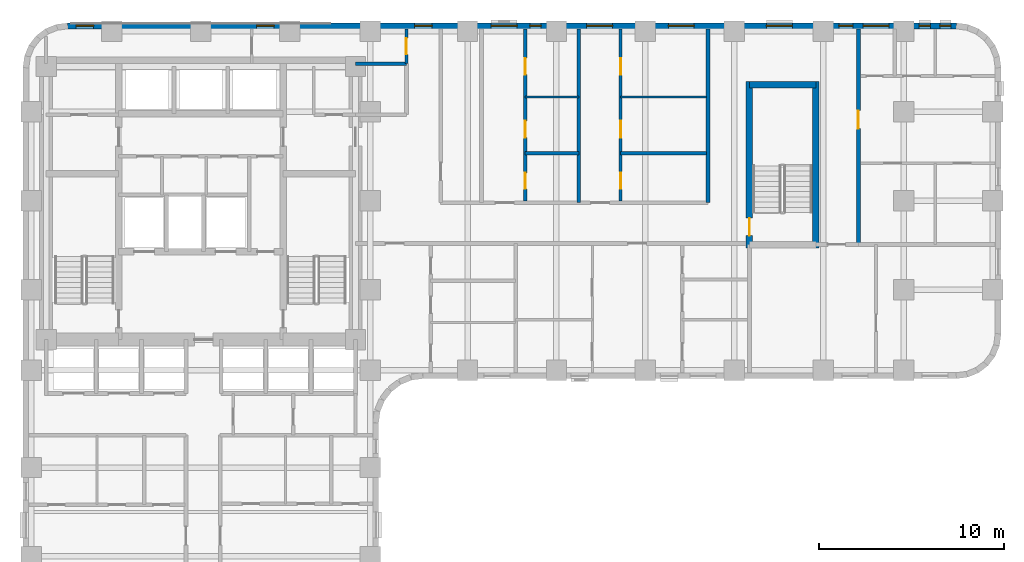
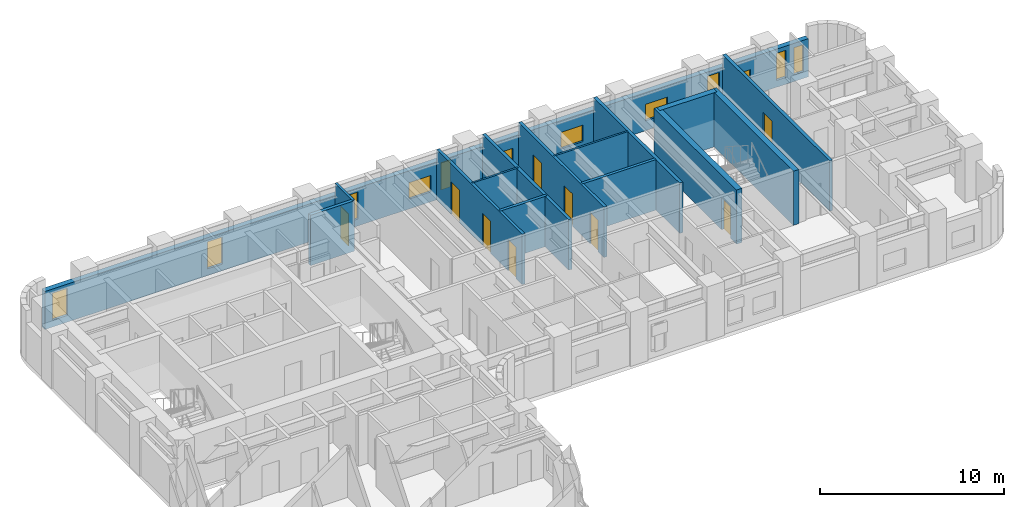
# One storey, part 7 of 11: 15 walls, 12 windows, 9 doors, 21 openings.
"""IFC4 building model written with IfcOpenShell, lengths in metres."""

from ifc_helpers import new_model, si_unit, direction, frame, frame_2d, origin, place, context, subcontext, project, spatial, rectangle, extrude, material, layer, layer_set, type_object, element, fill, save


model = new_model("IFC4")

# Units and contexts
model_context = context("Model", 3, precision=1e-05, world=origin(), true_north=direction((0.0, 1.0)))
body_context = subcontext(model_context, "Body", "Model", "MODEL_VIEW")
ifc_project = project(units=[si_unit("LENGTHUNIT", "METRE"), si_unit("AREAUNIT", "SQUARE_METRE"), si_unit("VOLUMEUNIT", "CUBIC_METRE"), si_unit("PLANEANGLEUNIT", "RADIAN"), si_unit("MASSUNIT", "GRAM", prefix="KILO")], contexts=[model_context])

# Site, building, storey
site_placement = place(None, origin())
site = spatial("IfcSite", under=ifc_project, at=site_placement, CompositionType="ELEMENT")
building_placement = place(site_placement, origin())
building = spatial("IfcBuilding", under=site, at=building_placement, Name="Orvandelia Arch Residences", CompositionType="ELEMENT")
storey_placement = place(building_placement, frame((0.0, 0.0, 25.0)))
storey = spatial("IfcBuildingStorey", under=building, at=storey_placement, Name="L05", CompositionType="ELEMENT", Elevation=25.0)

# Wall, opening, door
ifc_material_1 = material(Name="Concrete C50/60", Category="concrete")
ifc_layer_1 = layer(ifc_material_1, 0.35009765625, Name="Concrete C50/60", Category="concrete")
ifc_layer_set_1 = layer_set([ifc_layer_1], Name="Concrete C50/60")
wall_type_1 = type_object("IfcWallType", Name="WL-CORE-350", PredefinedType="SHEAR", material=ifc_layer_set_1)
wall_1_placement = place(storey_placement, frame((44.02001953125, 35.864990234375, 0.0), z_axis=(0.0, 0.0, 1.0), x_axis=(0.0, 1.0, 0.0)))
wall_1 = element("IfcWall", 1, at=wall_1_placement, inside=storey, type_object=wall_type_1, Name="East Stair Core Shear Wall L05-W", PredefinedType="SHEAR", context=body_context, shape_type="SweptSolid", body=[
    extrude(rectangle(XDim=8.969970703125, YDim=0.35009765625, at=frame_2d((4.48486328125, 0.0))), origin(), (0.0, 0.0, 1.0), 3.60009765625),
])
opening_1_placement = place(wall_1_placement, frame((0.64990234375, 0.0, 0.0)))
opening_1 = element("IfcOpeningElement", 2, at=opening_1_placement, cuts=wall_1, Name="Opening D7", PredefinedType="OPENING", context=body_context, shape_type="SweptSolid", body=[
    extrude(rectangle(XDim=0.949951171875, YDim=2.10009765625, at=frame_2d((0.47509765625, 1.050048828125))), frame((0.0, 0.18505859375, 0.0), z_axis=(0.0, -1.0, 0.0), x_axis=(1.0, 0.0, 0.0)), (0.0, 0.0, 1.0), 0.3701171875),
])
ifc_material_2 = material(Name="Pressurised Stairwell Fire Door")
door_type_1 = type_object("IfcDoorType", Name="DR-STAIR-950", OperationType="NOTDEFINED", PredefinedType="DOOR", material=ifc_material_2)
door_1_placement = place(opening_1_placement, origin())
door_1 = element("IfcDoor", 3, at=door_1_placement, inside=storey, type_object=door_type_1, Name="East Stairwell ST-3 Fire Door L05", OperationType="SINGLE_SWING_LEFT", OverallHeight=2.10009765625, OverallWidth=0.949951171875, PredefinedType="DOOR", context=body_context, shape_type="SweptSolid", body=[
    extrude(rectangle(XDim=0.949951171875, YDim=2.10009765625, at=frame_2d((0.47509765625, 1.050048828125))), frame((0.0, 0.02490234375, 0.0), z_axis=(0.0, -1.0, 0.0), x_axis=(1.0, 0.0, 0.0)), (0.0, 0.0, 1.0), 0.050048828125),
])
fill(opening_1, door_1)

# Walls
wall_2_placement = place(storey_placement, frame((47.60009765625, 35.864990234375, 0.0), z_axis=(0.0, 0.0, 1.0), x_axis=(0.0, 1.0, 0.0)))
element("IfcWall", 4, at=wall_2_placement, inside=storey, type_object=wall_type_1, Name="East Stair Core Shear Wall L05-E", PredefinedType="SHEAR", context=body_context, shape_type="SweptSolid", body=[
    extrude(rectangle(XDim=8.969970703125, YDim=0.35009765625, at=frame_2d((4.48486328125, 0.0))), origin(), (0.0, 0.0, 1.0), 3.60009765625),
])
wall_3_placement = place(storey_placement, frame((44.02001953125, 44.659912109375, 0.0), z_axis=(0.0, 0.0, 1.0), x_axis=(1.0, 0.0, 0.0)))
element("IfcWall", 5, at=wall_3_placement, inside=storey, type_object=wall_type_1, Name="East Stair Core Shear Wall L05-N", PredefinedType="SHEAR", context=body_context, shape_type="SweptSolid", body=[
    extrude(rectangle(XDim=3.580078125, YDim=0.35009765625, at=frame_2d((1.7900390625, 0.0))), origin(), (0.0, 0.0, 1.0), 3.60009765625),
])
ifc_material_3 = material(Name="Fire-Rated Corridor Partition")
ifc_layer_2 = layer(ifc_material_3, 0.199951171875, Name="Fire-Rated Corridor Partition")
ifc_layer_set_2 = layer_set([ifc_layer_2], Name="Fire-Rated Corridor Partition")
wall_type_2 = type_object("IfcWallType", Name="WL-CORR-200", PredefinedType="PARTITIONING", material=ifc_layer_set_2)
wall_4_placement = place(storey_placement, frame((22.75, 45.800048828125, 0.0), z_axis=(0.0, 0.0, 1.0), x_axis=(1.0, 0.0, 0.0)))
element("IfcWall", 6, at=wall_4_placement, inside=storey, type_object=wall_type_2, Name="Interior Partition Wall WL-L05-NCE-S", PredefinedType="PARTITIONING", context=body_context, shape_type="SweptSolid", body=[
    extrude(rectangle(XDim=2.75, YDim=0.199951171875, at=frame_2d((1.375, 0.0))), origin(), (0.0, 0.0, 1.0), 3.35009765625),
])
wall_5_placement = place(storey_placement, frame((41.780029296875, 38.300048828125, 0.0), z_axis=(0.0, 0.0, 1.0), x_axis=(0.0, 1.0, 0.0)))
element("IfcWall", 7, at=wall_5_placement, inside=storey, type_object=wall_type_2, Name="Interior Partition Wall WL-L05-ETV-W", PredefinedType="PARTITIONING", context=body_context, shape_type="SweptSolid", body=[
    extrude(rectangle(XDim=9.3798828125, YDim=0.199951171875, at=frame_2d((4.68994140625, 0.0))), origin(), (0.0, 0.0, 1.0), 3.35009765625),
])

# Wall, opening, door
wall_6_placement = place(storey_placement, frame((49.89990234375, 36.0400390625, 0.0), z_axis=(0.0, 0.0, 1.0), x_axis=(0.0, 1.0, 0.0)))
wall_6 = element("IfcWall", 8, at=wall_6_placement, inside=storey, type_object=wall_type_2, Name="Interior Partition Wall WL-L05-ETE-E", PredefinedType="PARTITIONING", context=body_context, shape_type="SweptSolid", body=[
    extrude(rectangle(XDim=11.639892578125, YDim=0.199951171875, at=frame_2d((5.81982421875, 0.0))), origin(), (0.0, 0.0, 1.0), 3.35009765625),
])
opening_2_placement = place(wall_6_placement, frame((6.25146484375, 0.0, 0.0)))
opening_2 = element("IfcOpeningElement", 9, at=opening_2_placement, cuts=wall_6, Name="Opening D1", PredefinedType="OPENING", context=body_context, shape_type="SweptSolid", body=[
    extrude(rectangle(XDim=0.97998046875, YDim=2.179931640625, at=frame_2d((0.489990234375, 1.08984375))), frame((0.0, 0.10986328125, 0.0), z_axis=(0.0, -1.0, 0.0), x_axis=(1.0, 0.0, 0.0)), (0.0, 0.0, 1.0), 0.219970703125),
])
ifc_material_4 = material(Name="Solid-Core Timber Acoustic Fire Door", Category="wood")
door_type_2 = type_object("IfcDoorType", Name="DR-ENT-980", OperationType="NOTDEFINED", PredefinedType="DOOR", material=ifc_material_4)
door_2_placement = place(opening_2_placement, origin())
door_2 = element("IfcDoor", 10, at=door_2_placement, inside=storey, type_object=door_type_2, Name="Unit L05-11 Entrance Door", OperationType="SINGLE_SWING_LEFT", OverallHeight=2.179931640625, OverallWidth=0.97998046875, PredefinedType="DOOR", context=body_context, shape_type="SweptSolid", body=[
    extrude(rectangle(XDim=0.97998046875, YDim=2.179931640625, at=frame_2d((0.489990234375, 1.08984375))), frame((0.0, 0.02490234375, 0.0), z_axis=(0.0, -1.0, 0.0), x_axis=(1.0, 0.0, 0.0)), (0.0, 0.0, 1.0), 0.050048828125),
])
fill(opening_2, door_2)

# Wall
ifc_material_5 = material(Name="Concrete C40/50", Category="concrete")
ifc_layer_3 = layer(ifc_material_5, 0.199951171875, Name="Concrete C40/50", Category="concrete")
ifc_layer_set_3 = layer_set([ifc_layer_3], Name="Concrete C40/50")
wall_type_3 = type_object("IfcWallType", Name="WL-DEM-200", PredefinedType="SOLIDWALL", material=ifc_layer_set_3)
wall_7_placement = place(storey_placement, frame((34.800048828125, 38.300048828125, 0.0), z_axis=(0.0, 0.0, 1.0), x_axis=(0.0, 1.0, 0.0)))
element("IfcWall", 11, at=wall_7_placement, inside=storey, type_object=wall_type_3, Name="Interior Partition Wall WL-L05-DEM-EMN-348", PredefinedType="SOLIDWALL", context=body_context, shape_type="SweptSolid", body=[
    extrude(rectangle(XDim=9.3798828125, YDim=0.199951171875, at=frame_2d((4.68994140625, 0.0))), origin(), (0.0, 0.0, 1.0), 3.35009765625),
])

# Wall, openings, windows
ifc_material_6 = material(Name="Precast concrete C40/50", Category="concrete")
ifc_layer_4 = layer(ifc_material_6, 0.320068359375, Name="Precast concrete C40/50", Category="concrete")
ifc_layer_set_4 = layer_set([ifc_layer_4], Name="Precast concrete C40/50")
wall_type_4 = type_object("IfcWallType", Name="WL-EXT-STONE-320", PredefinedType="STANDARD", material=ifc_layer_set_4)
wall_8_placement = place(storey_placement, frame((7.199951171875, 47.840087890625, 0.0), z_axis=(0.0, 0.0, 1.0), x_axis=(1.0, 0.0, 0.0)))
wall_8 = element("IfcWall", 12, at=wall_8_placement, inside=storey, type_object=wall_type_4, Name="Coral-Limestone Precast Facade Wall L05-007", PredefinedType="STANDARD", context=body_context, shape_type="SweptSolid", body=[
    extrude(rectangle(XDim=48.0, YDim=0.320068359375, at=frame_2d((24.0, 0.0))), origin(), (0.0, 0.0, 1.0), 2.530029296875),
])
opening_3_placement = place(wall_8_placement, frame((24.969970703125, 0.0, 0.449951171875)))
opening_3 = element("IfcOpeningElement", 13, at=opening_3_placement, cuts=wall_8, Name="Opening W12", PredefinedType="OPENING", context=body_context, shape_type="SweptSolid", body=[
    extrude(rectangle(XDim=0.60009765625, YDim=1.800048828125, at=frame_2d((0.300048828125, 0.89990234375))), frame((0.0, 0.169921875, 0.0), z_axis=(0.0, -1.0, 0.0), x_axis=(1.0, 0.0, 0.0)), (0.0, 0.0, 1.0), 0.340087890625),
])
opening_4_placement = place(wall_8_placement, frame((32.43505859375, 0.0, 0.64990234375)))
opening_4 = element("IfcOpeningElement", 14, at=opening_4_placement, cuts=wall_8, Name="Opening W10", PredefinedType="OPENING", context=body_context, shape_type="SweptSolid", body=[
    extrude(rectangle(XDim=1.39990234375, YDim=1.10009765625, at=frame_2d((0.699951171875, 0.550048828125))), frame((0.0, 0.169921875, 0.0), z_axis=(0.0, -1.0, 0.0), x_axis=(1.0, 0.0, 0.0)), (0.0, 0.0, 1.0), 0.340087890625),
])
opening_5_placement = place(wall_8_placement, frame((47.093994140625, 0.0, 0.449951171875)))
opening_5 = element("IfcOpeningElement", 15, at=opening_5_placement, cuts=wall_8, Name="Opening W12", PredefinedType="OPENING", context=body_context, shape_type="SweptSolid", body=[
    extrude(rectangle(XDim=0.60009765625, YDim=1.800048828125, at=frame_2d((0.300048828125, 0.89990234375))), frame((0.0, 0.169921875, 0.0), z_axis=(0.0, -1.0, 0.0), x_axis=(1.0, 0.0, 0.0)), (0.0, 0.0, 1.0), 0.340087890625),
])
opening_6_placement = place(wall_8_placement, frame((18.739990234375, 0.0, 0.449951171875)))
opening_6 = element("IfcOpeningElement", 16, at=opening_6_placement, cuts=wall_8, Name="Opening W4", PredefinedType="OPENING", context=body_context, shape_type="SweptSolid", body=[
    extrude(rectangle(XDim=0.949951171875, YDim=1.800048828125, at=frame_2d((0.47509765625, 0.89990234375))), frame((0.0, 0.169921875, 0.0), z_axis=(0.0, -1.0, 0.0), x_axis=(1.0, 0.0, 0.0)), (0.0, 0.0, 1.0), 0.340087890625),
])
opening_7_placement = place(wall_8_placement, frame((41.64990234375, 0.0, 0.449951171875)))
opening_7 = element("IfcOpeningElement", 17, at=opening_7_placement, cuts=wall_8, Name="Opening W11", PredefinedType="OPENING", context=body_context, shape_type="SweptSolid", body=[
    extrude(rectangle(XDim=0.75, YDim=1.800048828125, at=frame_2d((0.375, 0.89990234375))), frame((0.0, 0.169921875, 0.0), z_axis=(0.0, -1.0, 0.0), x_axis=(1.0, 0.0, 0.0)), (0.0, 0.0, 1.0), 0.340087890625),
])
opening_8_placement = place(wall_8_placement, frame((37.736083984375, 0.0, 0.64990234375)))
opening_8 = element("IfcOpeningElement", 18, at=opening_8_placement, cuts=wall_8, Name="Opening W10", PredefinedType="OPENING", context=body_context, shape_type="SweptSolid", body=[
    extrude(rectangle(XDim=1.39990234375, YDim=1.10009765625, at=frame_2d((0.699951171875, 0.550048828125))), frame((0.0, 0.169921875, 0.0), z_axis=(0.0, -1.0, 0.0), x_axis=(1.0, 0.0, 0.0)), (0.0, 0.0, 1.0), 0.340087890625),
])
opening_9_placement = place(wall_8_placement, frame((0.469970703125, 0.0, 0.449951171875)))
opening_9 = element("IfcOpeningElement", 19, at=opening_9_placement, cuts=wall_8, Name="Opening W4", PredefinedType="OPENING", context=body_context, shape_type="SweptSolid", body=[
    extrude(rectangle(XDim=0.949951171875, YDim=1.800048828125, at=frame_2d((0.47509765625, 0.89990234375))), frame((0.0, 0.169921875, 0.0), z_axis=(0.0, -1.0, 0.0), x_axis=(1.0, 0.0, 0.0)), (0.0, 0.0, 1.0), 0.340087890625),
])
opening_10_placement = place(wall_8_placement, frame((10.215087890625, 0.0, 0.449951171875)))
opening_10 = element("IfcOpeningElement", 20, at=opening_10_placement, cuts=wall_8, Name="Opening W4", PredefinedType="OPENING", context=body_context, shape_type="SweptSolid", body=[
    extrude(rectangle(XDim=0.949951171875, YDim=1.800048828125, at=frame_2d((0.47509765625, 0.89990234375))), frame((0.0, 0.169921875, 0.0), z_axis=(0.0, -1.0, 0.0), x_axis=(1.0, 0.0, 0.0)), (0.0, 0.0, 1.0), 0.340087890625),
])
opening_11_placement = place(wall_8_placement, frame((22.8701171875, 0.0, 0.64990234375)))
opening_11 = element("IfcOpeningElement", 21, at=opening_11_placement, cuts=wall_8, Name="Opening W10", PredefinedType="OPENING", context=body_context, shape_type="SweptSolid", body=[
    extrude(rectangle(XDim=1.39990234375, YDim=1.10009765625, at=frame_2d((0.699951171875, 0.550048828125))), frame((0.0, 0.169921875, 0.0), z_axis=(0.0, -1.0, 0.0), x_axis=(1.0, 0.0, 0.0)), (0.0, 0.0, 1.0), 0.340087890625),
])
opening_12_placement = place(wall_8_placement, frame((28.030029296875, 0.0, 0.64990234375)))
opening_12 = element("IfcOpeningElement", 22, at=opening_12_placement, cuts=wall_8, Name="Opening W10", PredefinedType="OPENING", context=body_context, shape_type="SweptSolid", body=[
    extrude(rectangle(XDim=1.39990234375, YDim=1.10009765625, at=frame_2d((0.699951171875, 0.550048828125))), frame((0.0, 0.169921875, 0.0), z_axis=(0.0, -1.0, 0.0), x_axis=(1.0, 0.0, 0.0)), (0.0, 0.0, 1.0), 0.340087890625),
])
opening_13_placement = place(wall_8_placement, frame((42.949951171875, 0.0, 0.64990234375)))
opening_13 = element("IfcOpeningElement", 23, at=opening_13_placement, cuts=wall_8, Name="Opening W10", PredefinedType="OPENING", context=body_context, shape_type="SweptSolid", body=[
    extrude(rectangle(XDim=1.39990234375, YDim=1.10009765625, at=frame_2d((0.699951171875, 0.550048828125))), frame((0.0, 0.169921875, 0.0), z_axis=(0.0, -1.0, 0.0), x_axis=(1.0, 0.0, 0.0)), (0.0, 0.0, 1.0), 0.340087890625),
])
opening_14_placement = place(wall_8_placement, frame((45.98388671875, 0.0, 0.449951171875)))
opening_14 = element("IfcOpeningElement", 24, at=opening_14_placement, cuts=wall_8, Name="Opening W12", PredefinedType="OPENING", context=body_context, shape_type="SweptSolid", body=[
    extrude(rectangle(XDim=0.60009765625, YDim=1.800048828125, at=frame_2d((0.300048828125, 0.89990234375))), frame((0.0, 0.169921875, 0.0), z_axis=(0.0, -1.0, 0.0), x_axis=(1.0, 0.0, 0.0)), (0.0, 0.0, 1.0), 0.340087890625),
])
ifc_material_7 = material(Name="Tempered Low-E Insulated Glazing", Category="glass")
window_type_1 = type_object("IfcWindowType", Name="WIN-BED-0750x1800", PartitioningType="SINGLE_PANEL", PredefinedType="WINDOW", material=ifc_material_7)
window_1_placement = place(opening_7_placement, origin())
window_1 = element("IfcWindow", 25, at=window_1_placement, inside=storey, type_object=window_type_1, Name="Recessed Punched Window L05-005", OverallHeight=1.800048828125, OverallWidth=0.75, PartitioningType="SINGLE_PANEL", PredefinedType="WINDOW", context=body_context, shape_type="SweptSolid", body=[
    extrude(rectangle(XDim=0.75, YDim=1.800048828125, at=frame_2d((0.375, 0.89990234375))), frame((0.0, 0.030029296875, 0.0), z_axis=(0.0, -1.0, 0.0), x_axis=(1.0, 0.0, 0.0)), (0.0, 0.0, 1.0), 0.06005859375),
])
fill(opening_7, window_1)
window_type_2 = type_object("IfcWindowType", Name="WIN-CLR-1400x1100", PartitioningType="SINGLE_PANEL", PredefinedType="WINDOW", material=ifc_material_7)
window_2_placement = place(opening_4_placement, origin())
window_2 = element("IfcWindow", 26, at=window_2_placement, inside=storey, type_object=window_type_2, Name="Recessed Punched Window L05-002", OverallHeight=1.10009765625, OverallWidth=1.39990234375, PartitioningType="SINGLE_PANEL", PredefinedType="WINDOW", context=body_context, shape_type="SweptSolid", body=[
    extrude(rectangle(XDim=1.39990234375, YDim=1.10009765625, at=frame_2d((0.699951171875, 0.550048828125))), frame((0.0, 0.030029296875, 0.0), z_axis=(0.0, -1.0, 0.0), x_axis=(1.0, 0.0, 0.0)), (0.0, 0.0, 1.0), 0.06005859375),
])
fill(opening_4, window_2)
window_3_placement = place(opening_8_placement, origin())
window_3 = element("IfcWindow", 27, at=window_3_placement, inside=storey, type_object=window_type_2, Name="Recessed Punched Window L05-006", OverallHeight=1.10009765625, OverallWidth=1.39990234375, PartitioningType="SINGLE_PANEL", PredefinedType="WINDOW", context=body_context, shape_type="SweptSolid", body=[
    extrude(rectangle(XDim=1.39990234375, YDim=1.10009765625, at=frame_2d((0.699951171875, 0.550048828125))), frame((0.0, 0.030029296875, 0.0), z_axis=(0.0, -1.0, 0.0), x_axis=(1.0, 0.0, 0.0)), (0.0, 0.0, 1.0), 0.06005859375),
])
fill(opening_8, window_3)
window_4_placement = place(opening_11_placement, origin())
window_4 = element("IfcWindow", 28, at=window_4_placement, inside=storey, type_object=window_type_2, Name="Recessed Punched Window L05-009", OverallHeight=1.10009765625, OverallWidth=1.39990234375, PartitioningType="SINGLE_PANEL", PredefinedType="WINDOW", context=body_context, shape_type="SweptSolid", body=[
    extrude(rectangle(XDim=1.39990234375, YDim=1.10009765625, at=frame_2d((0.699951171875, 0.550048828125))), frame((0.0, 0.030029296875, 0.0), z_axis=(0.0, -1.0, 0.0), x_axis=(1.0, 0.0, 0.0)), (0.0, 0.0, 1.0), 0.06005859375),
])
fill(opening_11, window_4)
window_5_placement = place(opening_12_placement, origin())
window_5 = element("IfcWindow", 29, at=window_5_placement, inside=storey, type_object=window_type_2, Name="Recessed Punched Window L05-010", OverallHeight=1.10009765625, OverallWidth=1.39990234375, PartitioningType="SINGLE_PANEL", PredefinedType="WINDOW", context=body_context, shape_type="SweptSolid", body=[
    extrude(rectangle(XDim=1.39990234375, YDim=1.10009765625, at=frame_2d((0.699951171875, 0.550048828125))), frame((0.0, 0.030029296875, 0.0), z_axis=(0.0, -1.0, 0.0), x_axis=(1.0, 0.0, 0.0)), (0.0, 0.0, 1.0), 0.06005859375),
])
fill(opening_12, window_5)
window_6_placement = place(opening_13_placement, origin())
window_6 = element("IfcWindow", 30, at=window_6_placement, inside=storey, type_object=window_type_2, Name="Recessed Punched Window L05-011", OverallHeight=1.10009765625, OverallWidth=1.39990234375, PartitioningType="SINGLE_PANEL", PredefinedType="WINDOW", context=body_context, shape_type="SweptSolid", body=[
    extrude(rectangle(XDim=1.39990234375, YDim=1.10009765625, at=frame_2d((0.699951171875, 0.550048828125))), frame((0.0, 0.030029296875, 0.0), z_axis=(0.0, -1.0, 0.0), x_axis=(1.0, 0.0, 0.0)), (0.0, 0.0, 1.0), 0.06005859375),
])
fill(opening_13, window_6)
window_type_3 = type_object("IfcWindowType", Name="WIN-LAN-0600x1800", PartitioningType="SINGLE_PANEL", PredefinedType="WINDOW", material=ifc_material_7)
window_7_placement = place(opening_3_placement, origin())
window_7 = element("IfcWindow", 31, at=window_7_placement, inside=storey, type_object=window_type_3, Name="Recessed Punched Window L05-001", OverallHeight=1.800048828125, OverallWidth=0.60009765625, PartitioningType="SINGLE_PANEL", PredefinedType="WINDOW", context=body_context, shape_type="SweptSolid", body=[
    extrude(rectangle(XDim=0.60009765625, YDim=1.800048828125, at=frame_2d((0.300048828125, 0.89990234375))), frame((0.0, 0.030029296875, 0.0), z_axis=(0.0, -1.0, 0.0), x_axis=(1.0, 0.0, 0.0)), (0.0, 0.0, 1.0), 0.06005859375),
])
fill(opening_3, window_7)
window_8_placement = place(opening_5_placement, origin())
window_8 = element("IfcWindow", 32, at=window_8_placement, inside=storey, type_object=window_type_3, Name="Recessed Punched Window L05-003", OverallHeight=1.800048828125, OverallWidth=0.60009765625, PartitioningType="SINGLE_PANEL", PredefinedType="WINDOW", context=body_context, shape_type="SweptSolid", body=[
    extrude(rectangle(XDim=0.60009765625, YDim=1.800048828125, at=frame_2d((0.300048828125, 0.89990234375))), frame((0.0, 0.030029296875, 0.0), z_axis=(0.0, -1.0, 0.0), x_axis=(1.0, 0.0, 0.0)), (0.0, 0.0, 1.0), 0.06005859375),
])
fill(opening_5, window_8)
window_9_placement = place(opening_14_placement, origin())
window_9 = element("IfcWindow", 33, at=window_9_placement, inside=storey, type_object=window_type_3, Name="Recessed Punched Window L05-012", OverallHeight=1.800048828125, OverallWidth=0.60009765625, PartitioningType="SINGLE_PANEL", PredefinedType="WINDOW", context=body_context, shape_type="SweptSolid", body=[
    extrude(rectangle(XDim=0.60009765625, YDim=1.800048828125, at=frame_2d((0.300048828125, 0.89990234375))), frame((0.0, 0.030029296875, 0.0), z_axis=(0.0, -1.0, 0.0), x_axis=(1.0, 0.0, 0.0)), (0.0, 0.0, 1.0), 0.06005859375),
])
fill(opening_14, window_9)
window_type_4 = type_object("IfcWindowType", Name="WIN-RES-0950x1800", PartitioningType="SINGLE_PANEL", PredefinedType="WINDOW", material=ifc_material_7)
window_10_placement = place(opening_6_placement, origin())
window_10 = element("IfcWindow", 34, at=window_10_placement, inside=storey, type_object=window_type_4, Name="Recessed Punched Window L05-004", OverallHeight=1.800048828125, OverallWidth=0.949951171875, PartitioningType="SINGLE_PANEL", PredefinedType="WINDOW", context=body_context, shape_type="SweptSolid", body=[
    extrude(rectangle(XDim=0.949951171875, YDim=1.800048828125, at=frame_2d((0.47509765625, 0.89990234375))), frame((0.0, 0.030029296875, 0.0), z_axis=(0.0, -1.0, 0.0), x_axis=(1.0, 0.0, 0.0)), (0.0, 0.0, 1.0), 0.06005859375),
])
fill(opening_6, window_10)
window_11_placement = place(opening_9_placement, origin())
window_11 = element("IfcWindow", 35, at=window_11_placement, inside=storey, type_object=window_type_4, Name="Recessed Punched Window L05-007", OverallHeight=1.800048828125, OverallWidth=0.949951171875, PartitioningType="SINGLE_PANEL", PredefinedType="WINDOW", context=body_context, shape_type="SweptSolid", body=[
    extrude(rectangle(XDim=0.949951171875, YDim=1.800048828125, at=frame_2d((0.47509765625, 0.89990234375))), frame((0.0, 0.030029296875, 0.0), z_axis=(0.0, -1.0, 0.0), x_axis=(1.0, 0.0, 0.0)), (0.0, 0.0, 1.0), 0.06005859375),
])
fill(opening_9, window_11)
window_12_placement = place(opening_10_placement, origin())
window_12 = element("IfcWindow", 36, at=window_12_placement, inside=storey, type_object=window_type_4, Name="Recessed Punched Window L05-008", OverallHeight=1.800048828125, OverallWidth=0.949951171875, PartitioningType="SINGLE_PANEL", PredefinedType="WINDOW", context=body_context, shape_type="SweptSolid", body=[
    extrude(rectangle(XDim=0.949951171875, YDim=1.800048828125, at=frame_2d((0.47509765625, 0.89990234375))), frame((0.0, 0.030029296875, 0.0), z_axis=(0.0, -1.0, 0.0), x_axis=(1.0, 0.0, 0.0)), (0.0, 0.0, 1.0), 0.06005859375),
])
fill(opening_10, window_12)

# Walls
ifc_material_8 = material(Name="Lightweight Gypsum Stud Partition")
ifc_layer_5 = layer(ifc_material_8, 0.1201171875, Name="Lightweight Gypsum Stud Partition")
ifc_layer_set_5 = layer_set([ifc_layer_5], Name="Lightweight Gypsum Stud Partition")
wall_type_5 = type_object("IfcWallType", Name="WL-PART-120", PredefinedType="PARTITIONING", material=ifc_layer_set_5)
wall_9_placement = place(storey_placement, frame((31.909912109375, 43.99609375, 0.0), z_axis=(0.0, 0.0, 1.0), x_axis=(1.0, 0.0, 0.0)))
element("IfcWall", 37, at=wall_9_placement, inside=storey, type_object=wall_type_5, Name="Interior Partition Wall WL-L05-U09-H2", PredefinedType="PARTITIONING", context=body_context, shape_type="SweptSolid", body=[
    extrude(rectangle(XDim=2.91015625, YDim=0.1201171875, at=frame_2d((1.455078125, 0.0))), origin(), (0.0, 0.0, 1.0), 3.35009765625),
])
wall_10_placement = place(storey_placement, frame((37.06005859375, 43.99609375, 0.0), z_axis=(0.0, 0.0, 1.0), x_axis=(1.0, 0.0, 0.0)))
element("IfcWall", 38, at=wall_10_placement, inside=storey, type_object=wall_type_5, Name="Interior Partition Wall WL-L05-U10-H2", PredefinedType="PARTITIONING", context=body_context, shape_type="SweptSolid", body=[
    extrude(rectangle(XDim=4.639892578125, YDim=0.1201171875, at=frame_2d((2.31982421875, 0.0))), origin(), (0.0, 0.0, 1.0), 3.35009765625),
])

# Wall, opening, door
ifc_material_9 = material(Name="Acoustic Gypsum Stud Partition")
ifc_layer_6 = layer(ifc_material_9, 0.14990234375, Name="Acoustic Gypsum Stud Partition")
ifc_layer_set_6 = layer_set([ifc_layer_6], Name="Acoustic Gypsum Stud Partition")
wall_type_6 = type_object("IfcWallType", Name="WL-PART-150", PredefinedType="PARTITIONING", material=ifc_layer_set_6)
wall_11_placement = place(storey_placement, frame((25.5, 45.800048828125, 0.0), z_axis=(0.0, 0.0, 1.0), x_axis=(0.0, 1.0, 0.0)))
wall_11 = element("IfcWall", 39, at=wall_11_placement, inside=storey, type_object=wall_type_6, Name="Interior Partition Wall WL-L05-NCE-W", PredefinedType="PARTITIONING", context=body_context, shape_type="SweptSolid", body=[
    extrude(rectangle(XDim=1.8798828125, YDim=0.14990234375, at=frame_2d((0.93994140625, 0.0))), origin(), (0.0, 0.0, 1.0), 3.35009765625),
])
opening_15_placement = place(wall_11_placement, frame((0.5, 0.0, 0.0)))
opening_15 = element("IfcOpeningElement", 40, at=opening_15_placement, cuts=wall_11, Name="Opening D5", PredefinedType="OPENING", context=body_context, shape_type="SweptSolid", body=[
    extrude(rectangle(XDim=0.8798828125, YDim=2.10009765625, at=frame_2d((0.43994140625, 1.050048828125))), frame((0.0, 0.0849609375, 0.0), z_axis=(0.0, -1.0, 0.0), x_axis=(1.0, 0.0, 0.0)), (0.0, 0.0, 1.0), 0.169921875),
])
ifc_material_10 = material(Name="Painted Galvanised Steel Service Door", Category="steel")
door_type_3 = type_object("IfcDoorType", Name="DR-SRV-880", OperationType="NOTDEFINED", PredefinedType="DOOR", material=ifc_material_10)
door_3_placement = place(opening_15_placement, origin())
door_3 = element("IfcDoor", 41, at=door_3_placement, inside=storey, type_object=door_type_3, Name="DR-L05-NCS2", OperationType="SINGLE_SWING_LEFT", OverallHeight=2.10009765625, OverallWidth=0.8798828125, PredefinedType="DOOR", context=body_context, shape_type="SweptSolid", body=[
    extrude(rectangle(XDim=0.8798828125, YDim=2.10009765625, at=frame_2d((0.43994140625, 1.050048828125))), frame((0.0, 0.02490234375, 0.0), z_axis=(0.0, -1.0, 0.0), x_axis=(1.0, 0.0, 0.0)), (0.0, 0.0, 1.0), 0.050048828125),
])
fill(opening_15, door_3)

# Wall, openings, doors
ifc_material_11 = material(Name="Moisture-Resistant Plumbing Wall")
ifc_layer_7 = layer(ifc_material_11, 0.179931640625, Name="Moisture-Resistant Plumbing Wall")
ifc_layer_set_7 = layer_set([ifc_layer_7], Name="Moisture-Resistant Plumbing Wall")
wall_type_7 = type_object("IfcWallType", Name="WL-WET-180", PredefinedType="PLUMBINGWALL", material=ifc_layer_set_7)
wall_12_placement = place(storey_placement, frame((31.909912109375, 38.3798828125, 0.0), z_axis=(0.0, 0.0, 1.0), x_axis=(0.0, 1.0, 0.0)))
wall_12 = element("IfcWall", 42, at=wall_12_placement, inside=storey, type_object=wall_type_7, Name="Interior Partition Wall WL-L05-U09-VT", PredefinedType="PLUMBINGWALL", context=body_context, shape_type="SweptSolid", body=[
    extrude(rectangle(XDim=9.300048828125, YDim=0.179931640625, at=frame_2d((4.64990234375, 0.0))), origin(), (0.0, 0.0, 1.0), 3.35009765625),
])
opening_16_placement = place(wall_12_placement, frame((0.66748046875, 0.0, 0.0)))
opening_16 = element("IfcOpeningElement", 43, at=opening_16_placement, cuts=wall_12, Name="Opening D4", PredefinedType="OPENING", context=body_context, shape_type="SweptSolid", body=[
    extrude(rectangle(XDim=0.860107421875, YDim=2.10009765625, at=frame_2d((0.43017578125, 1.050048828125))), frame((0.0, 0.10009765625, 0.0), z_axis=(0.0, -1.0, 0.0), x_axis=(1.0, 0.0, 0.0)), (0.0, 0.0, 1.0), 0.199951171875),
])
opening_17_placement = place(wall_12_placement, frame((3.430419921875, 0.0, 0.0)))
opening_17 = element("IfcOpeningElement", 44, at=opening_17_placement, cuts=wall_12, Name="Opening D3", PredefinedType="OPENING", context=body_context, shape_type="SweptSolid", body=[
    extrude(rectangle(XDim=0.89990234375, YDim=2.14990234375, at=frame_2d((0.449951171875, 1.074951171875))), frame((0.0, 0.10009765625, 0.0), z_axis=(0.0, -1.0, 0.0), x_axis=(1.0, 0.0, 0.0)), (0.0, 0.0, 1.0), 0.199951171875),
])
opening_18_placement = place(wall_12_placement, frame((6.828369140625, 0.0, 0.0)))
opening_18 = element("IfcOpeningElement", 45, at=opening_18_placement, cuts=wall_12, Name="Opening D3", PredefinedType="OPENING", context=body_context, shape_type="SweptSolid", body=[
    extrude(rectangle(XDim=0.89990234375, YDim=2.14990234375, at=frame_2d((0.449951171875, 1.074951171875))), frame((0.0, 0.10009765625, 0.0), z_axis=(0.0, -1.0, 0.0), x_axis=(1.0, 0.0, 0.0)), (0.0, 0.0, 1.0), 0.199951171875),
])
ifc_material_12 = material(Name="Engineered Timber Flush Door", Category="wood")
door_type_4 = type_object("IfcDoorType", Name="DR-INT-900", OperationType="NOTDEFINED", PredefinedType="DOOR", material=ifc_material_12)
door_4_placement = place(opening_17_placement, origin())
door_4 = element("IfcDoor", 46, at=door_4_placement, inside=storey, type_object=door_type_4, Name="DR-L05-U09-KIT", OperationType="SINGLE_SWING_LEFT", OverallHeight=2.14990234375, OverallWidth=0.89990234375, PredefinedType="DOOR", context=body_context, shape_type="SweptSolid", body=[
    extrude(rectangle(XDim=0.89990234375, YDim=2.14990234375, at=frame_2d((0.449951171875, 1.074951171875))), frame((0.0, 0.02490234375, 0.0), z_axis=(0.0, -1.0, 0.0), x_axis=(1.0, 0.0, 0.0)), (0.0, 0.0, 1.0), 0.050048828125),
])
fill(opening_17, door_4)
door_5_placement = place(opening_18_placement, origin())
door_5 = element("IfcDoor", 47, at=door_5_placement, inside=storey, type_object=door_type_4, Name="DR-L05-U09-BD1", OperationType="SINGLE_SWING_RIGHT", OverallHeight=2.14990234375, OverallWidth=0.89990234375, PredefinedType="DOOR", context=body_context, shape_type="SweptSolid", body=[
    extrude(rectangle(XDim=0.89990234375, YDim=2.14990234375, at=frame_2d((0.449951171875, 1.074951171875))), frame((0.0, 0.02490234375, 0.0), z_axis=(0.0, -1.0, 0.0), x_axis=(1.0, 0.0, 0.0)), (0.0, 0.0, 1.0), 0.050048828125),
])
fill(opening_18, door_5)
ifc_material_13 = material(Name="Moisture-Sealed Timber Bathroom Door", Category="wood")
door_type_5 = type_object("IfcDoorType", Name="DR-WET-900", OperationType="NOTDEFINED", PredefinedType="DOOR", material=ifc_material_13)
door_6_placement = place(opening_16_placement, origin())
door_6 = element("IfcDoor", 48, at=door_6_placement, inside=storey, type_object=door_type_5, Name="DR-L05-U09-BTH", OperationType="SINGLE_SWING_RIGHT", OverallHeight=2.10009765625, OverallWidth=0.860107421875, PredefinedType="DOOR", context=body_context, shape_type="SweptSolid", body=[
    extrude(rectangle(XDim=0.860107421875, YDim=2.10009765625, at=frame_2d((0.43017578125, 1.050048828125))), frame((0.0, 0.02490234375, 0.0), z_axis=(0.0, -1.0, 0.0), x_axis=(1.0, 0.0, 0.0)), (0.0, 0.0, 1.0), 0.050048828125),
])
fill(opening_16, door_6)

# Wall
wall_13_placement = place(storey_placement, frame((31.909912109375, 40.962890625, 0.0), z_axis=(0.0, 0.0, 1.0), x_axis=(1.0, 0.0, 0.0)))
element("IfcWall", 49, at=wall_13_placement, inside=storey, type_object=wall_type_7, Name="Interior Partition Wall WL-L05-U09-H1", PredefinedType="PLUMBINGWALL", context=body_context, shape_type="SweptSolid", body=[
    extrude(rectangle(XDim=2.91015625, YDim=0.179931640625, at=frame_2d((1.455078125, 0.0))), origin(), (0.0, 0.0, 1.0), 3.35009765625),
])

# Wall, openings, doors
wall_14_placement = place(storey_placement, frame((37.06005859375, 38.3798828125, 0.0), z_axis=(0.0, 0.0, 1.0), x_axis=(0.0, 1.0, 0.0)))
wall_14 = element("IfcWall", 50, at=wall_14_placement, inside=storey, type_object=wall_type_7, Name="Interior Partition Wall WL-L05-U10-VT", PredefinedType="PLUMBINGWALL", context=body_context, shape_type="SweptSolid", body=[
    extrude(rectangle(XDim=9.300048828125, YDim=0.179931640625, at=frame_2d((4.64990234375, 0.0))), origin(), (0.0, 0.0, 1.0), 3.35009765625),
])
opening_19_placement = place(wall_14_placement, frame((0.66748046875, 0.0, 0.0)))
opening_19 = element("IfcOpeningElement", 51, at=opening_19_placement, cuts=wall_14, Name="Opening D4", PredefinedType="OPENING", context=body_context, shape_type="SweptSolid", body=[
    extrude(rectangle(XDim=0.860107421875, YDim=2.10009765625, at=frame_2d((0.43017578125, 1.050048828125))), frame((0.0, 0.10009765625, 0.0), z_axis=(0.0, -1.0, 0.0), x_axis=(1.0, 0.0, 0.0)), (0.0, 0.0, 1.0), 0.199951171875),
])
opening_20_placement = place(wall_14_placement, frame((3.430419921875, 0.0, 0.0)))
opening_20 = element("IfcOpeningElement", 52, at=opening_20_placement, cuts=wall_14, Name="Opening D3", PredefinedType="OPENING", context=body_context, shape_type="SweptSolid", body=[
    extrude(rectangle(XDim=0.89990234375, YDim=2.14990234375, at=frame_2d((0.449951171875, 1.074951171875))), frame((0.0, 0.10009765625, 0.0), z_axis=(0.0, -1.0, 0.0), x_axis=(1.0, 0.0, 0.0)), (0.0, 0.0, 1.0), 0.199951171875),
])
opening_21_placement = place(wall_14_placement, frame((6.828369140625, 0.0, 0.0)))
opening_21 = element("IfcOpeningElement", 53, at=opening_21_placement, cuts=wall_14, Name="Opening D3", PredefinedType="OPENING", context=body_context, shape_type="SweptSolid", body=[
    extrude(rectangle(XDim=0.89990234375, YDim=2.14990234375, at=frame_2d((0.449951171875, 1.074951171875))), frame((0.0, 0.10009765625, 0.0), z_axis=(0.0, -1.0, 0.0), x_axis=(1.0, 0.0, 0.0)), (0.0, 0.0, 1.0), 0.199951171875),
])
door_7_placement = place(opening_20_placement, origin())
door_7 = element("IfcDoor", 54, at=door_7_placement, inside=storey, type_object=door_type_4, Name="DR-L05-U10-KIT", OperationType="SINGLE_SWING_RIGHT", OverallHeight=2.14990234375, OverallWidth=0.89990234375, PredefinedType="DOOR", context=body_context, shape_type="SweptSolid", body=[
    extrude(rectangle(XDim=0.89990234375, YDim=2.14990234375, at=frame_2d((0.449951171875, 1.074951171875))), frame((0.0, 0.02490234375, 0.0), z_axis=(0.0, -1.0, 0.0), x_axis=(1.0, 0.0, 0.0)), (0.0, 0.0, 1.0), 0.050048828125),
])
fill(opening_20, door_7)
door_8_placement = place(opening_21_placement, origin())
door_8 = element("IfcDoor", 55, at=door_8_placement, inside=storey, type_object=door_type_4, Name="DR-L05-U10-BD1", OperationType="SINGLE_SWING_LEFT", OverallHeight=2.14990234375, OverallWidth=0.89990234375, PredefinedType="DOOR", context=body_context, shape_type="SweptSolid", body=[
    extrude(rectangle(XDim=0.89990234375, YDim=2.14990234375, at=frame_2d((0.449951171875, 1.074951171875))), frame((0.0, 0.02490234375, 0.0), z_axis=(0.0, -1.0, 0.0), x_axis=(1.0, 0.0, 0.0)), (0.0, 0.0, 1.0), 0.050048828125),
])
fill(opening_21, door_8)
door_9_placement = place(opening_19_placement, origin())
door_9 = element("IfcDoor", 56, at=door_9_placement, inside=storey, type_object=door_type_5, Name="DR-L05-U10-BTH", OperationType="SINGLE_SWING_LEFT", OverallHeight=2.10009765625, OverallWidth=0.860107421875, PredefinedType="DOOR", context=body_context, shape_type="SweptSolid", body=[
    extrude(rectangle(XDim=0.860107421875, YDim=2.10009765625, at=frame_2d((0.43017578125, 1.050048828125))), frame((0.0, 0.02490234375, 0.0), z_axis=(0.0, -1.0, 0.0), x_axis=(1.0, 0.0, 0.0)), (0.0, 0.0, 1.0), 0.050048828125),
])
fill(opening_19, door_9)

# Wall
wall_15_placement = place(storey_placement, frame((37.06005859375, 40.962890625, 0.0), z_axis=(0.0, 0.0, 1.0), x_axis=(1.0, 0.0, 0.0)))
element("IfcWall", 57, at=wall_15_placement, inside=storey, type_object=wall_type_7, Name="Interior Partition Wall WL-L05-U10-H1", PredefinedType="PLUMBINGWALL", context=body_context, shape_type="SweptSolid", body=[
    extrude(rectangle(XDim=4.639892578125, YDim=0.179931640625, at=frame_2d((2.31982421875, 0.0))), origin(), (0.0, 0.0, 1.0), 3.35009765625),
])

save(model, "model.ifc")
